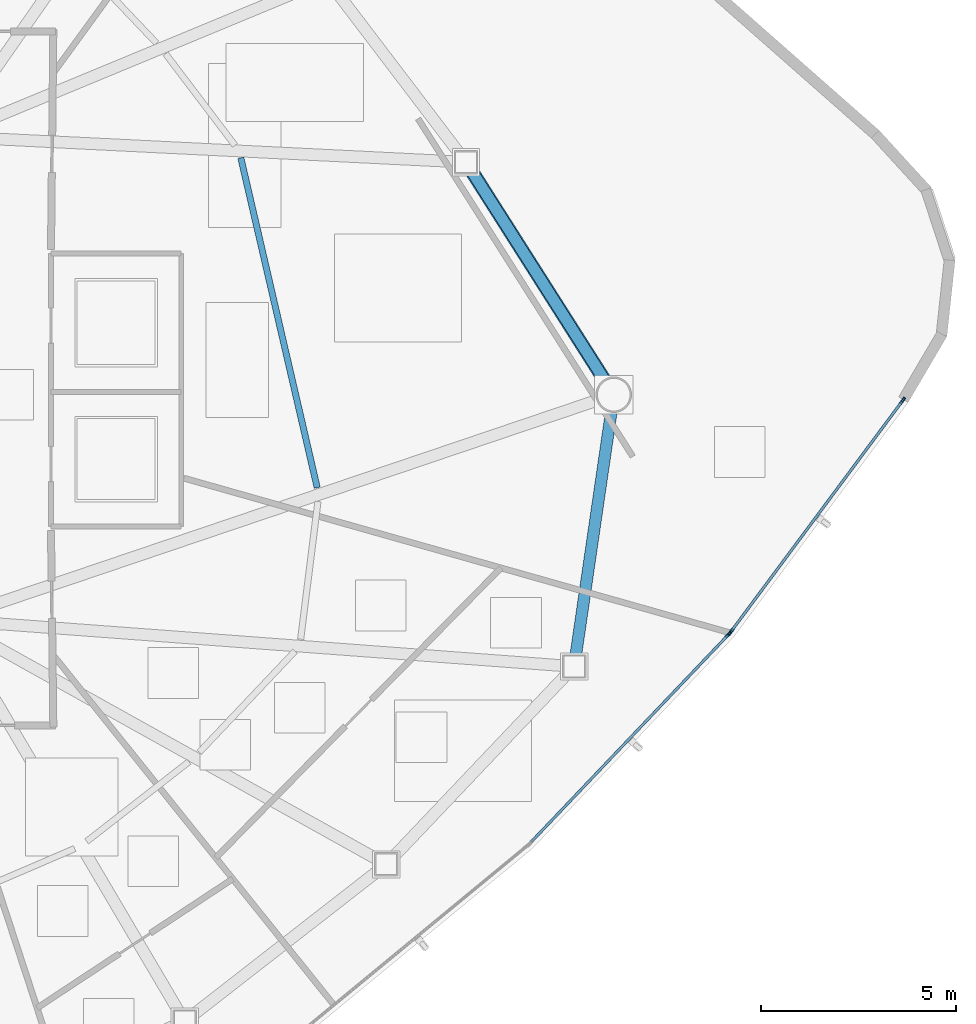
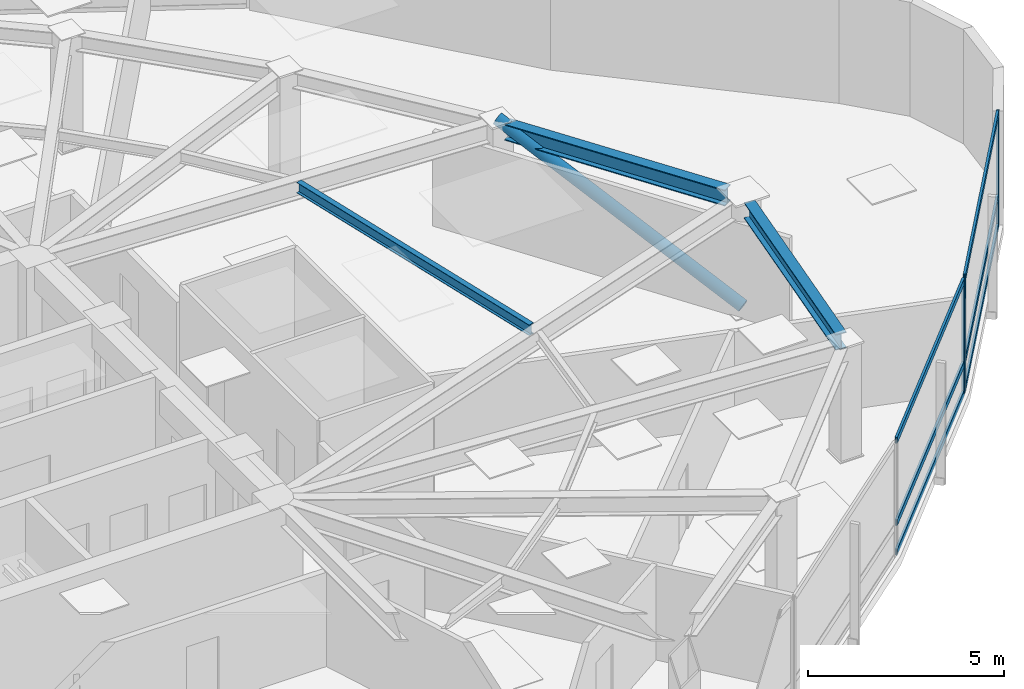
# One storey, part 6 of 17: 10 members, 3 beams, 2 elements without a shape of their own.
"""IFC4 building model written with IfcOpenShell, lengths in metres."""

from ifc_helpers import new_model, si_unit, direction, frame, origin, origin_2d, place, context, subcontext, project, spatial, hollow_rectangle, hollow_circle, i_section, extrude, source, transform, mapped, material, layer, layer_set, material_profile, profile_set, type_object, type_shapes, element, aggregate, save


model = new_model("IFC4")

# Units and contexts
model_context = context("Model", 3, precision=1e-05, world=origin(), true_north=direction((0.0, 1.0)))
body_context = subcontext(model_context, "Body", "Model", "MODEL_VIEW")
ifc_project = project(units=[si_unit("LENGTHUNIT", "METRE"), si_unit("AREAUNIT", "SQUARE_METRE"), si_unit("VOLUMEUNIT", "CUBIC_METRE"), si_unit("PLANEANGLEUNIT", "RADIAN"), si_unit("MASSUNIT", "GRAM", prefix="KILO")], contexts=[model_context])

# Site, building, storey
site_placement = place(None, origin())
site = spatial("IfcSite", under=ifc_project, at=site_placement, CompositionType="ELEMENT")
building_placement = place(site_placement, origin())
building = spatial("IfcBuilding", under=site, at=building_placement, Name="Tavelor Broadcast Tower", CompositionType="ELEMENT")
storey_placement = place(building_placement, frame((0.0, 0.0, 184.89990234375)))
storey = spatial("IfcBuildingStorey", under=building, at=storey_placement, Name="L44", CompositionType="ELEMENT", Elevation=184.89990234375)

# Beams
ifc_material_1 = material(Name="Steel S355", Category="steel")
ifc_material_profile_1 = material_profile(ifc_material_1, i_section(OverallWidth=0.159912109375, OverallDepth=0.330078125, WebThickness=0.007568359375, FlangeThickness=0.011474609375, at=origin_2d()), Name="IPE 330")
ifc_profile_set_1 = profile_set([ifc_material_profile_1], Name="Steel S355")
beam_type_1 = type_object("IfcBeamType", Name="Composite Floor Joist T4 IPE 330", PredefinedType="JOIST", material=ifc_profile_set_1)
beam_1_placement = place(storey_placement, frame((66.069091796875, 42.195068359375, 3.385009765625), z_axis=(-0.225617102792, 0.974216055569, 0.0), x_axis=(-0.974216055569, -0.225617102792, 0.0)))
element("IfcBeam", 1, at=beam_1_placement, inside=storey, type_object=beam_type_1, Name="L44 Secondary Composite Floor Joist 13", PredefinedType="JOIST", context=body_context, shape_type="SweptSolid", body=[
    extrude(i_section(OverallWidth=0.159912109375, OverallDepth=0.330078125, WebThickness=0.007568359375, FlangeThickness=0.011474609375, at=origin_2d()), origin(), (0.0, 0.0, 1.0), 8.683837890625),
])
ifc_material_profile_2 = material_profile(ifc_material_1, i_section(OverallWidth=0.300048828125, OverallDepth=0.5, WebThickness=0.014404296875, FlangeThickness=0.028076171875, at=origin_2d()), Name="HEB 500")
ifc_profile_set_2 = profile_set([ifc_material_profile_2], Name="Steel S355")
beam_type_2 = type_object("IfcBeamType", Name="Perimeter Spandrel Beam T4 HEB 500", PredefinedType="SPANDREL", material=ifc_profile_set_2)
beam_2_placement = place(storey_placement, frame((72.700927734375, 37.892333984375, 3.300048828125), z_axis=(0.144298223799, 0.989534245293, 0.0), x_axis=(-0.989534245293, 0.144298223799, 0.0)))
element("IfcBeam", 2, at=beam_2_placement, inside=storey, type_object=beam_type_2, Name="L44 Framed-Tube Ring Spandrel 12", PredefinedType="SPANDREL", context=body_context, shape_type="SweptSolid", body=[
    extrude(i_section(OverallWidth=0.300048828125, OverallDepth=0.5, WebThickness=0.014404296875, FlangeThickness=0.028076171875, at=origin_2d()), origin(), (0.0, 0.0, 1.0), 6.3193359375),
])
beam_3_placement = place(storey_placement, frame((73.440673828125, 44.94970703125, 3.300048828125), z_axis=(-0.536287336864, 0.844035480486, 0.0), x_axis=(-0.844035480486, -0.536287336864, 0.0)))
element("IfcBeam", 3, at=beam_3_placement, inside=storey, type_object=beam_type_2, Name="L44 Framed-Tube Ring Spandrel 13", PredefinedType="SPANDREL", context=body_context, shape_type="SweptSolid", body=[
    extrude(i_section(OverallWidth=0.300048828125, OverallDepth=0.5, WebThickness=0.014404296875, FlangeThickness=0.028076171875, at=origin_2d()), origin(), (0.0, 0.0, 1.0), 6.340087890625),
])

# Member
ifc_material_profile_3 = material_profile(ifc_material_1, hollow_circle(Radius=0.177734375, WallThickness=0.01611328125, at=origin_2d()), Name="CHS 355.6x16")
ifc_profile_set_3 = profile_set([ifc_material_profile_3], Name="Steel S355")
member_type_1 = type_object("IfcMemberType", Name="Perimeter Tube Brace T4 CHS 355.6x16", PredefinedType="BRACE", material=ifc_profile_set_3)
member_1_placement = place(storey_placement, frame((73.676025390625, 44.57958984375, 0.0), z_axis=(-0.479238755177, 0.754205232397, 0.448892729904), x_axis=(-0.844021198089, -0.536309814544, 0.0)))
element("IfcMember", 4, at=member_1_placement, inside=storey, type_object=member_type_1, Name="L44 Corner Tube Diagonal Brace 3", PredefinedType="BRACE", context=body_context, shape_type="SweptSolid", body=[
    extrude(hollow_circle(Radius=0.177734375, WallThickness=0.01611328125, at=origin_2d()), origin(), (0.0, 0.0, 1.0), 7.908447265625),
])

# Curtain wall, member
ifc_material_2 = material(Name="Architectural Anodized Aluminium", Category="aluminium")
ifc_layer = layer(ifc_material_2, 0.18994140625)
ifc_layer_set = layer_set([ifc_layer], Name="Architectural Anodized Aluminium")
curtain_wall_type = type_object("IfcCurtainWallType", Name="Tower Mid-Zone Acoustic Curtain Wall CW03", PredefinedType="NOTDEFINED", material=ifc_layer_set)
curtain_wall_1_placement = place(storey_placement, origin())
curtain_wall_1 = element("IfcCurtainWall", 5, at=curtain_wall_1_placement, inside=storey, type_object=curtain_wall_type, Name="L44 Curtain Wall CW03 Run 475", PredefinedType="NOTDEFINED")
ifc_material_profile_4 = material_profile(ifc_material_2, hollow_rectangle(XDim=0.068115234375, YDim=0.18994140625, WallThickness=0.02197265625, at=origin_2d()), Name="RHS 68x190x22")
ifc_profile_set_4 = profile_set([ifc_material_profile_4], Name="Architectural Anodized Aluminium")
member_type_2 = type_object("IfcMemberType", Name="CW03 Extruded Aluminium Mullion 68x190", PredefinedType="MULLION", material=ifc_profile_set_4)
shared_shape_1 = source(origin(), body_context, "Body", "SweptSolid", [
    extrude(hollow_rectangle(XDim=0.068115234375, YDim=0.18994140625, WallThickness=0.02197265625, at=origin_2d()), origin(), (0.0, 0.0, 1.0), 3.550048828125),
])
type_shapes(member_type_2, [shared_shape_1])
member_2_placement = place(storey_placement, frame((76.61669921875, 38.42431640625, 0.0), z_axis=(0.0, 0.0, 1.0), x_axis=(-0.724487177681, 0.689288277411, 0.0)))
member_2 = element("IfcMember", 6, at=member_2_placement, type_object=member_type_2, Name="CW03 mullion 2", PredefinedType="MULLION", context=body_context, shape_type="MappedRepresentation", body=[
    mapped(shared_shape_1, transform((0.0, 0.0, 0.0), scale=1.0)),
])

# Curtain wall, members
curtain_wall_2_placement = place(storey_placement, origin())
curtain_wall_2 = element("IfcCurtainWall", 7, at=curtain_wall_2_placement, inside=storey, type_object=curtain_wall_type, Name="L44 Curtain Wall CW03 Run 476", PredefinedType="NOTDEFINED")
member_3_placement = place(storey_placement, frame((76.6796875, 38.499267578125, 0.0), z_axis=(0.0, 0.0, 1.0), x_axis=(-0.802575613245, 0.596550404429, 0.0)))
member_3 = element("IfcMember", 8, at=member_3_placement, type_object=member_type_2, Name="CW03 mullion 1", PredefinedType="MULLION", context=body_context, shape_type="MappedRepresentation", body=[
    mapped(shared_shape_1, transform((0.0, 0.0, 0.0), scale=1.0)),
])
member_4_placement = place(storey_placement, frame((81.087158203125, 44.428955078125, 0.0), z_axis=(0.0, 0.0, 1.0), x_axis=(-0.802575613245, 0.596550404429, 0.0)))
member_4 = element("IfcMember", 9, at=member_4_placement, type_object=member_type_2, Name="CW03 mullion 2", PredefinedType="MULLION", context=body_context, shape_type="MappedRepresentation", body=[
    mapped(shared_shape_1, transform((0.0, 0.0, 0.0), scale=1.0)),
])

# Member
ifc_material_profile_5 = material_profile(ifc_material_2, hollow_rectangle(XDim=0.068115234375, YDim=0.18994140625, WallThickness=0.02197265625, at=origin_2d()), Name="RHS 68x190x22")
ifc_profile_set_5 = profile_set([ifc_material_profile_5], Name="Architectural Anodized Aluminium")
member_type_3 = type_object("IfcMemberType", Name="CW03 Extruded Aluminium Transom 68x190", PredefinedType="USERDEFINED", material=ifc_profile_set_5)
shared_shape_2 = source(origin(), body_context, "Body", "SweptSolid", [
    extrude(hollow_rectangle(XDim=0.068115234375, YDim=0.18994140625, WallThickness=0.02197265625, at=origin_2d()), origin(), (0.0, 0.0, 1.0), 7.304443359375),
])
member_5_placement = place(storey_placement, frame((71.558349609375, 33.107666015625, 0.0341796875), z_axis=(0.6892903687, 0.724485187991, 0.0), x_axis=(-0.724485187991, 0.6892903687, 0.0)))
member_5 = element("IfcMember", 10, at=member_5_placement, type_object=member_type_3, Name="CW03 transom 1.1", ObjectType="TRANSOM", PredefinedType="USERDEFINED", context=body_context, shape_type="MappedRepresentation", body=[
    mapped(shared_shape_2, transform((0.0, 0.0, 0.0), scale=1.0)),
])

member_6_placement = place(storey_placement, frame((71.558349609375, 33.107666015625, 0.9501953125), z_axis=(0.6892903687, 0.724485187991, 0.0), x_axis=(-0.724485187991, 0.6892903687, 0.0)))
member_6 = element("IfcMember", 11, at=member_6_placement, type_object=member_type_3, Name="CW03 transom 1.2", ObjectType="TRANSOM", PredefinedType="USERDEFINED", context=body_context, shape_type="MappedRepresentation", body=[
    mapped(shared_shape_2, transform((0.0, 0.0, 0.0), scale=1.0)),
])

member_7_placement = place(storey_placement, frame((71.558349609375, 33.107666015625, 3.51611328125), z_axis=(0.6892903687, 0.724485187991, 0.0), x_axis=(-0.724485187991, 0.6892903687, 0.0)))
member_7 = element("IfcMember", 12, at=member_7_placement, type_object=member_type_3, Name="CW03 transom 1.3", ObjectType="TRANSOM", PredefinedType="USERDEFINED", context=body_context, shape_type="MappedRepresentation", body=[
    mapped(shared_shape_2, transform((0.0, 0.0, 0.0), scale=1.0)),
])

aggregate(curtain_wall_1, [member_2, member_5, member_6, member_7])

shared_shape_3 = source(origin(), body_context, "Body", "SweptSolid", [
    extrude(hollow_rectangle(XDim=0.068115234375, YDim=0.18994140625, WallThickness=0.02197265625, at=origin_2d()), origin(), (0.0, 0.0, 1.0), 7.3203125),
])
type_shapes(member_type_3, [shared_shape_2, shared_shape_3])
member_8_placement = place(storey_placement, frame((76.699951171875, 38.5263671875, 0.0341796875), z_axis=(0.596541959915, 0.80258188994, 0.0), x_axis=(-0.80258188994, 0.596541959915, 0.0)))
member_8 = element("IfcMember", 13, at=member_8_placement, type_object=member_type_3, Name="CW03 transom 1.1", ObjectType="TRANSOM", PredefinedType="USERDEFINED", context=body_context, shape_type="MappedRepresentation", body=[
    mapped(shared_shape_3, transform((0.0, 0.0, 0.0), scale=1.0)),
])

member_9_placement = place(storey_placement, frame((76.699951171875, 38.5263671875, 0.9501953125), z_axis=(0.596541959915, 0.80258188994, 0.0), x_axis=(-0.80258188994, 0.596541959915, 0.0)))
member_9 = element("IfcMember", 14, at=member_9_placement, type_object=member_type_3, Name="CW03 transom 1.2", ObjectType="TRANSOM", PredefinedType="USERDEFINED", context=body_context, shape_type="MappedRepresentation", body=[
    mapped(shared_shape_3, transform((0.0, 0.0, 0.0), scale=1.0)),
])

member_10_placement = place(storey_placement, frame((76.699951171875, 38.5263671875, 3.51611328125), z_axis=(0.596541959915, 0.80258188994, 0.0), x_axis=(-0.80258188994, 0.596541959915, 0.0)))
member_10 = element("IfcMember", 15, at=member_10_placement, type_object=member_type_3, Name="CW03 transom 1.3", ObjectType="TRANSOM", PredefinedType="USERDEFINED", context=body_context, shape_type="MappedRepresentation", body=[
    mapped(shared_shape_3, transform((0.0, 0.0, 0.0), scale=1.0)),
])

aggregate(curtain_wall_2, [member_3, member_4, member_8, member_9, member_10])

save(model, "model.ifc")
